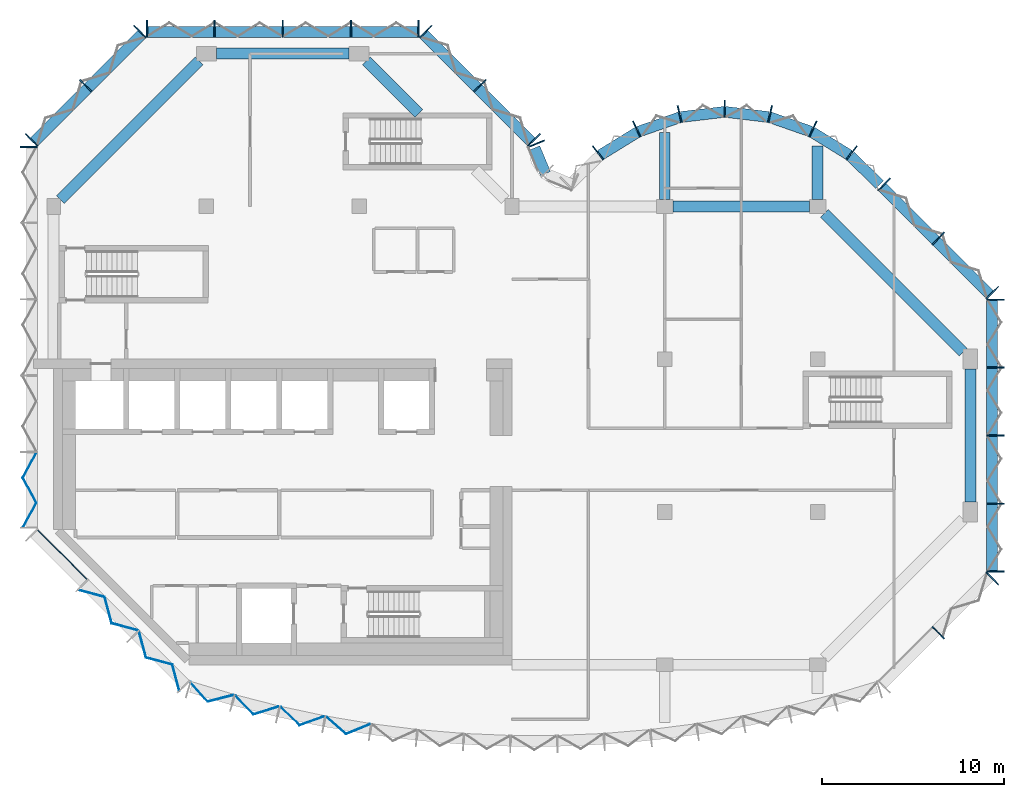
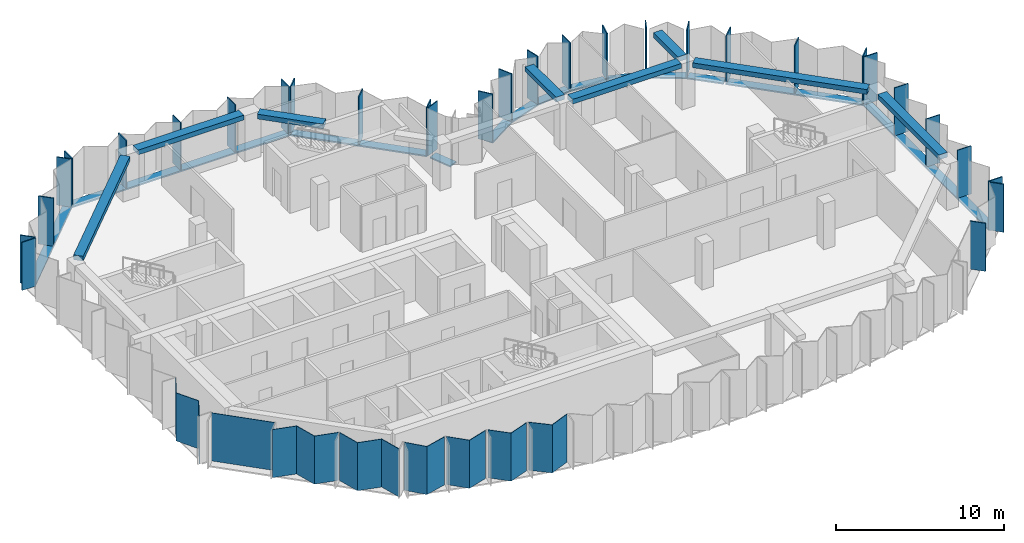
# One storey, part 2 of 9: 43 members, 8 beams, 8 plates, 11 elements without a shape of their own.
"""IFC4 building model written with IfcOpenShell, lengths in metres."""

from ifc_helpers import new_model, si_unit, direction, frame, origin, origin_2d, place, context, subcontext, project, spatial, polyline, rectangle, outline, extrude, material, layer, layer_set, material_profile, profile_set, type_object, element, aggregate, save


model = new_model("IFC4")

# Units and contexts
model_context = context("Model", 3, precision=1e-05, world=origin(), true_north=direction((0.0, 1.0)))
body_context = subcontext(model_context, "Body", "Model", "MODEL_VIEW")
ifc_project = project(units=[si_unit("LENGTHUNIT", "METRE"), si_unit("AREAUNIT", "SQUARE_METRE"), si_unit("VOLUMEUNIT", "CUBIC_METRE"), si_unit("PLANEANGLEUNIT", "RADIAN"), si_unit("MASSUNIT", "GRAM", prefix="KILO")], contexts=[model_context])

# Site, building, storey
site_placement = place(None, origin())
site = spatial("IfcSite", under=ifc_project, at=site_placement, CompositionType="ELEMENT")
building_placement = place(site_placement, origin())
building = spatial("IfcBuilding", under=site, at=building_placement, Name="Brevane Broadcast Tower", CompositionType="ELEMENT")
storey_placement = place(building_placement, frame((0.0, 0.0, 240.89990234375)))
storey = spatial("IfcBuildingStorey", under=building, at=storey_placement, Name="L61", CompositionType="ELEMENT", Elevation=240.89990234375)

# Curtain wall, members
ifc_material_1 = material(Name="Aluminium 6063-T6 bronze anodised", Category="aluminium")
curtain_wall_type = type_object("IfcCurtainWallType", Name="CW-1 curtain wall", PredefinedType="NOTDEFINED", material=ifc_material_1)
curtain_wall_1_placement = place(storey_placement, origin())
curtain_wall_1 = element("IfcCurtainWall", 1, at=curtain_wall_1_placement, inside=storey, type_object=curtain_wall_type, Name="CW-1 typical tilted unit L61 south-east chamfer", PredefinedType="NOTDEFINED")
ifc_material_profile_1 = material_profile(ifc_material_1, rectangle(XDim=0.949951171875, YDim=0.070068359375, at=origin_2d()), Name="RECT 70x950")
ifc_profile_set_1 = profile_set([ifc_material_profile_1], Name="Aluminium 6063-T6 bronze anodised")
member_type_1 = type_object("IfcMemberType", Name="CW-1 mullion 70x950", PredefinedType="MULLION", material=ifc_profile_set_1)
member_1_placement = place(storey_placement, frame((48.635986328125, 1.76416015625, -0.14990234375), z_axis=(0.0, 0.0, 1.0), x_axis=(-0.707106781187, 0.707106781187, 0.0)))
member_1 = element("IfcMember", 2, at=member_1_placement, type_object=member_type_1, Name="CW-1 mullion", PredefinedType="MULLION", context=body_context, shape_type="SweptSolid", body=[
    extrude(rectangle(XDim=0.949951171875, YDim=0.070068359375, at=origin_2d()), origin(), (0.0, 0.0, 1.0), 3.5),
])
member_2_placement = place(storey_placement, frame((51.611083984375, 4.7392578125, -0.14990234375), z_axis=(0.0, 0.0, 1.0), x_axis=(-0.707106781187, 0.707106781187, 0.0)))
member_2 = element("IfcMember", 3, at=member_2_placement, type_object=member_type_1, Name="CW-1 mullion", PredefinedType="MULLION", context=body_context, shape_type="SweptSolid", body=[
    extrude(rectangle(XDim=0.949951171875, YDim=0.070068359375, at=origin_2d()), origin(), (0.0, 0.0, 1.0), 3.5),
])
aggregate(curtain_wall_1, [member_1, member_2])

curtain_wall_2_placement = place(storey_placement, origin())
curtain_wall_2 = element("IfcCurtainWall", 4, at=curtain_wall_2_placement, inside=storey, type_object=curtain_wall_type, Name="CW-1 typical tilted unit L61 east end", PredefinedType="NOTDEFINED")
member_3_placement = place(storey_placement, frame((51.77490234375, 5.135009765625, -0.14990234375), z_axis=(0.0, 0.0, 1.0), x_axis=(-1.0, 0.0, 0.0)))
member_3 = element("IfcMember", 5, at=member_3_placement, type_object=member_type_1, Name="CW-1 mullion", PredefinedType="MULLION", context=body_context, shape_type="SweptSolid", body=[
    extrude(rectangle(XDim=0.949951171875, YDim=0.070068359375, at=origin_2d()), origin(), (0.0, 0.0, 1.0), 3.5),
])
member_4_placement = place(storey_placement, frame((51.77490234375, 8.85009765625, -0.14990234375), z_axis=(0.0, 0.0, 1.0), x_axis=(-1.0, 0.0, 0.0)))
member_4 = element("IfcMember", 6, at=member_4_placement, type_object=member_type_1, Name="CW-1 mullion", PredefinedType="MULLION", context=body_context, shape_type="SweptSolid", body=[
    extrude(rectangle(XDim=0.949951171875, YDim=0.070068359375, at=origin_2d()), origin(), (0.0, 0.0, 1.0), 3.5),
])
member_5_placement = place(storey_placement, frame((51.77490234375, 12.60009765625, -0.14990234375), z_axis=(0.0, 0.0, 1.0), x_axis=(-1.0, 0.0, 0.0)))
member_5 = element("IfcMember", 7, at=member_5_placement, type_object=member_type_1, Name="CW-1 mullion", PredefinedType="MULLION", context=body_context, shape_type="SweptSolid", body=[
    extrude(rectangle(XDim=0.949951171875, YDim=0.070068359375, at=origin_2d()), origin(), (0.0, 0.0, 1.0), 3.5),
])
member_6_placement = place(storey_placement, frame((51.77490234375, 16.35009765625, -0.14990234375), z_axis=(0.0, 0.0, 1.0), x_axis=(-1.0, 0.0, 0.0)))
member_6 = element("IfcMember", 8, at=member_6_placement, type_object=member_type_1, Name="CW-1 mullion", PredefinedType="MULLION", context=body_context, shape_type="SweptSolid", body=[
    extrude(rectangle(XDim=0.949951171875, YDim=0.070068359375, at=origin_2d()), origin(), (0.0, 0.0, 1.0), 3.5),
])
member_7_placement = place(storey_placement, frame((51.77490234375, 20.06494140625, -0.14990234375), z_axis=(0.0, 0.0, 1.0), x_axis=(-1.0, 0.0, 0.0)))
member_7 = element("IfcMember", 9, at=member_7_placement, type_object=member_type_1, Name="CW-1 mullion", PredefinedType="MULLION", context=body_context, shape_type="SweptSolid", body=[
    extrude(rectangle(XDim=0.949951171875, YDim=0.070068359375, at=origin_2d()), origin(), (0.0, 0.0, 1.0), 3.5),
])

curtain_wall_3_placement = place(storey_placement, origin())
curtain_wall_3 = element("IfcCurtainWall", 10, at=curtain_wall_3_placement, inside=storey, type_object=curtain_wall_type, Name="CW-1 typical tilted unit L61 north-east chamfer", PredefinedType="NOTDEFINED")
member_8_placement = place(storey_placement, frame((51.611083984375, 20.460693359375, -0.14990234375), z_axis=(0.0, 0.0, 1.0), x_axis=(-0.707106781187, -0.707106781187, 0.0)))
member_8 = element("IfcMember", 11, at=member_8_placement, type_object=member_type_1, Name="CW-1 mullion", PredefinedType="MULLION", context=body_context, shape_type="SweptSolid", body=[
    extrude(rectangle(XDim=0.949951171875, YDim=0.070068359375, at=origin_2d()), origin(), (0.0, 0.0, 1.0), 3.5),
])
member_9_placement = place(storey_placement, frame((48.635986328125, 23.435791015625, -0.14990234375), z_axis=(0.0, 0.0, 1.0), x_axis=(-0.707106781187, -0.707106781187, 0.0)))
member_9 = element("IfcMember", 12, at=member_9_placement, type_object=member_type_1, Name="CW-1 mullion", PredefinedType="MULLION", context=body_context, shape_type="SweptSolid", body=[
    extrude(rectangle(XDim=0.949951171875, YDim=0.070068359375, at=origin_2d()), origin(), (0.0, 0.0, 1.0), 3.5),
])
member_10_placement = place(storey_placement, frame((45.66064453125, 26.4111328125, -0.14990234375), z_axis=(0.0, 0.0, 1.0), x_axis=(-0.707106781187, -0.707106781187, 0.0)))
member_10 = element("IfcMember", 13, at=member_10_placement, type_object=member_type_1, Name="CW-1 mullion", PredefinedType="MULLION", context=body_context, shape_type="SweptSolid", body=[
    extrude(rectangle(XDim=0.949951171875, YDim=0.070068359375, at=origin_2d()), origin(), (0.0, 0.0, 1.0), 3.5),
])

curtain_wall_4_placement = place(storey_placement, origin())
curtain_wall_4 = element("IfcCurtainWall", 14, at=curtain_wall_4_placement, inside=storey, type_object=curtain_wall_type, Name="CW-1 typical tilted unit L61 east bow", PredefinedType="NOTDEFINED")
member_11_placement = place(storey_placement, frame((43.8720703125, 28.1455078125, -0.14990234375), z_axis=(0.0, 0.0, 1.0), x_axis=(-0.614769698862, -0.788706673841, 0.0)))
member_11 = element("IfcMember", 15, at=member_11_placement, type_object=member_type_1, Name="CW-1 mullion", PredefinedType="MULLION", context=body_context, shape_type="SweptSolid", body=[
    extrude(rectangle(XDim=0.949951171875, YDim=0.070068359375, at=origin_2d()), origin(), (0.0, 0.0, 1.0), 3.5),
])
member_12_placement = place(storey_placement, frame((41.746826171875, 29.4580078125, -0.14990234375), z_axis=(0.0, 0.0, 1.0), x_axis=(-0.429933580394, -0.902860518823, 0.0)))
member_12 = element("IfcMember", 16, at=member_12_placement, type_object=member_type_1, Name="CW-1 mullion", PredefinedType="MULLION", context=body_context, shape_type="SweptSolid", body=[
    extrude(rectangle(XDim=0.949951171875, YDim=0.070068359375, at=origin_2d()), origin(), (0.0, 0.0, 1.0), 3.5),
])
member_13_placement = place(storey_placement, frame((39.38818359375, 30.28076171875, -0.14990234375), z_axis=(0.0, 0.0, 1.0), x_axis=(-0.224806535479, -0.974403418306, 0.0)))
member_13 = element("IfcMember", 17, at=member_13_placement, type_object=member_type_1, Name="CW-1 mullion", PredefinedType="MULLION", context=body_context, shape_type="SweptSolid", body=[
    extrude(rectangle(XDim=0.949951171875, YDim=0.070068359375, at=origin_2d()), origin(), (0.0, 0.0, 1.0), 3.5),
])
member_14_placement = place(storey_placement, frame((36.89990234375, 30.574951171875, -0.14990234375), z_axis=(0.0, 0.0, 1.0), x_axis=(0.0, -1.0, 0.0)))
member_14 = element("IfcMember", 18, at=member_14_placement, type_object=member_type_1, Name="CW-1 mullion", PredefinedType="MULLION", context=body_context, shape_type="SweptSolid", body=[
    extrude(rectangle(XDim=0.949951171875, YDim=0.070068359375, at=origin_2d()), origin(), (0.0, 0.0, 1.0), 3.5),
])
member_15_placement = place(storey_placement, frame((34.411865234375, 30.28076171875, -0.14990234375), z_axis=(0.0, 0.0, 1.0), x_axis=(0.224806535479, -0.974403418306, 0.0)))
member_15 = element("IfcMember", 19, at=member_15_placement, type_object=member_type_1, Name="CW-1 mullion", PredefinedType="MULLION", context=body_context, shape_type="SweptSolid", body=[
    extrude(rectangle(XDim=0.949951171875, YDim=0.070068359375, at=origin_2d()), origin(), (0.0, 0.0, 1.0), 3.5),
])
member_16_placement = place(storey_placement, frame((32.05322265625, 29.4580078125, -0.14990234375), z_axis=(0.0, 0.0, 1.0), x_axis=(0.429933580394, -0.902860518823, 0.0)))
member_16 = element("IfcMember", 20, at=member_16_placement, type_object=member_type_1, Name="CW-1 mullion", PredefinedType="MULLION", context=body_context, shape_type="SweptSolid", body=[
    extrude(rectangle(XDim=0.949951171875, YDim=0.070068359375, at=origin_2d()), origin(), (0.0, 0.0, 1.0), 3.5),
])
member_17_placement = place(storey_placement, frame((29.927978515625, 28.1455078125, -0.14990234375), z_axis=(0.0, 0.0, 1.0), x_axis=(0.614769698862, -0.788706673841, 0.0)))
member_17 = element("IfcMember", 21, at=member_17_placement, type_object=member_type_1, Name="CW-1 mullion", PredefinedType="MULLION", context=body_context, shape_type="SweptSolid", body=[
    extrude(rectangle(XDim=0.949951171875, YDim=0.070068359375, at=origin_2d()), origin(), (0.0, 0.0, 1.0), 3.5),
])

# Curtain wall, member
curtain_wall_5_placement = place(storey_placement, origin())
curtain_wall_5 = element("IfcCurtainWall", 22, at=curtain_wall_5_placement, inside=storey, type_object=curtain_wall_type, Name="CW-1 typical tilted unit L61 inner corner", PredefinedType="NOTDEFINED")
member_18_placement = place(storey_placement, frame((26.55224609375, 28.6494140625, -0.14990234375), z_axis=(0.0, 0.0, 1.0), x_axis=(-0.923879532511, -0.382683432365, 0.0)))
member_18 = element("IfcMember", 23, at=member_18_placement, type_object=member_type_1, Name="CW-1 mullion", PredefinedType="MULLION", context=body_context, shape_type="SweptSolid", body=[
    extrude(rectangle(XDim=0.949951171875, YDim=0.070068359375, at=origin_2d()), origin(), (0.0, 0.0, 1.0), 3.5),
])

# Curtain wall, members
curtain_wall_6_placement = place(storey_placement, origin())
curtain_wall_6 = element("IfcCurtainWall", 24, at=curtain_wall_6_placement, inside=storey, type_object=curtain_wall_type, Name="CW-1 typical tilted unit L61 north arm north-east chamfer", PredefinedType="NOTDEFINED")
member_19_placement = place(storey_placement, frame((26.4111328125, 28.860595703125, -0.14990234375), z_axis=(0.0, 0.0, 1.0), x_axis=(-0.707106781187, -0.707106781187, 0.0)))
member_19 = element("IfcMember", 25, at=member_19_placement, type_object=member_type_1, Name="CW-1 mullion", PredefinedType="MULLION", context=body_context, shape_type="SweptSolid", body=[
    extrude(rectangle(XDim=0.949951171875, YDim=0.070068359375, at=origin_2d()), origin(), (0.0, 0.0, 1.0), 3.5),
])
member_20_placement = place(storey_placement, frame((23.435791015625, 31.8359375, -0.14990234375), z_axis=(0.0, 0.0, 1.0), x_axis=(-0.707106781187, -0.707106781187, 0.0)))
member_20 = element("IfcMember", 26, at=member_20_placement, type_object=member_type_1, Name="CW-1 mullion", PredefinedType="MULLION", context=body_context, shape_type="SweptSolid", body=[
    extrude(rectangle(XDim=0.949951171875, YDim=0.070068359375, at=origin_2d()), origin(), (0.0, 0.0, 1.0), 3.5),
])
member_21_placement = place(storey_placement, frame((20.460693359375, 34.81103515625, -0.14990234375), z_axis=(0.0, 0.0, 1.0), x_axis=(-0.707106781187, -0.707106781187, 0.0)))
member_21 = element("IfcMember", 27, at=member_21_placement, type_object=member_type_1, Name="CW-1 mullion", PredefinedType="MULLION", context=body_context, shape_type="SweptSolid", body=[
    extrude(rectangle(XDim=0.949951171875, YDim=0.070068359375, at=origin_2d()), origin(), (0.0, 0.0, 1.0), 3.5),
])

curtain_wall_7_placement = place(storey_placement, origin())
curtain_wall_7 = element("IfcCurtainWall", 28, at=curtain_wall_7_placement, inside=storey, type_object=curtain_wall_type, Name="CW-1 typical tilted unit L61 north end", PredefinedType="NOTDEFINED")
member_22_placement = place(storey_placement, frame((20.06494140625, 34.97509765625, -0.14990234375), z_axis=(0.0, 0.0, 1.0), x_axis=(0.0, -1.0, 0.0)))
member_22 = element("IfcMember", 29, at=member_22_placement, type_object=member_type_1, Name="CW-1 mullion", PredefinedType="MULLION", context=body_context, shape_type="SweptSolid", body=[
    extrude(rectangle(XDim=0.949951171875, YDim=0.070068359375, at=origin_2d()), origin(), (0.0, 0.0, 1.0), 3.5),
])
member_23_placement = place(storey_placement, frame((16.35009765625, 34.97509765625, -0.14990234375), z_axis=(0.0, 0.0, 1.0), x_axis=(0.0, -1.0, 0.0)))
member_23 = element("IfcMember", 30, at=member_23_placement, type_object=member_type_1, Name="CW-1 mullion", PredefinedType="MULLION", context=body_context, shape_type="SweptSolid", body=[
    extrude(rectangle(XDim=0.949951171875, YDim=0.070068359375, at=origin_2d()), origin(), (0.0, 0.0, 1.0), 3.5),
])
member_24_placement = place(storey_placement, frame((12.60009765625, 34.97509765625, -0.14990234375), z_axis=(0.0, 0.0, 1.0), x_axis=(0.0, -1.0, 0.0)))
member_24 = element("IfcMember", 31, at=member_24_placement, type_object=member_type_1, Name="CW-1 mullion", PredefinedType="MULLION", context=body_context, shape_type="SweptSolid", body=[
    extrude(rectangle(XDim=0.949951171875, YDim=0.070068359375, at=origin_2d()), origin(), (0.0, 0.0, 1.0), 3.5),
])
member_25_placement = place(storey_placement, frame((8.85009765625, 34.97509765625, -0.14990234375), z_axis=(0.0, 0.0, 1.0), x_axis=(0.0, -1.0, 0.0)))
member_25 = element("IfcMember", 32, at=member_25_placement, type_object=member_type_1, Name="CW-1 mullion", PredefinedType="MULLION", context=body_context, shape_type="SweptSolid", body=[
    extrude(rectangle(XDim=0.949951171875, YDim=0.070068359375, at=origin_2d()), origin(), (0.0, 0.0, 1.0), 3.5),
])
member_26_placement = place(storey_placement, frame((5.135009765625, 34.97509765625, -0.14990234375), z_axis=(0.0, 0.0, 1.0), x_axis=(0.0, -1.0, 0.0)))
member_26 = element("IfcMember", 33, at=member_26_placement, type_object=member_type_1, Name="CW-1 mullion", PredefinedType="MULLION", context=body_context, shape_type="SweptSolid", body=[
    extrude(rectangle(XDim=0.949951171875, YDim=0.070068359375, at=origin_2d()), origin(), (0.0, 0.0, 1.0), 3.5),
])

curtain_wall_8_placement = place(storey_placement, origin())
curtain_wall_8 = element("IfcCurtainWall", 34, at=curtain_wall_8_placement, inside=storey, type_object=curtain_wall_type, Name="CW-1 typical tilted unit L61 north-west chamfer", PredefinedType="NOTDEFINED")
member_27_placement = place(storey_placement, frame((4.7392578125, 34.81103515625, -0.14990234375), z_axis=(0.0, 0.0, 1.0), x_axis=(0.707106781187, -0.707106781187, 0.0)))
member_27 = element("IfcMember", 35, at=member_27_placement, type_object=member_type_1, Name="CW-1 mullion", PredefinedType="MULLION", context=body_context, shape_type="SweptSolid", body=[
    extrude(rectangle(XDim=0.949951171875, YDim=0.070068359375, at=origin_2d()), origin(), (0.0, 0.0, 1.0), 3.5),
])
member_28_placement = place(storey_placement, frame((1.76416015625, 31.8359375, -0.14990234375), z_axis=(0.0, 0.0, 1.0), x_axis=(0.707106781187, -0.707106781187, 0.0)))
member_28 = element("IfcMember", 36, at=member_28_placement, type_object=member_type_1, Name="CW-1 mullion", PredefinedType="MULLION", context=body_context, shape_type="SweptSolid", body=[
    extrude(rectangle(XDim=0.949951171875, YDim=0.070068359375, at=origin_2d()), origin(), (0.0, 0.0, 1.0), 3.5),
])
member_29_placement = place(storey_placement, frame((-1.211181640625, 28.860595703125, -0.14990234375), z_axis=(0.0, 0.0, 1.0), x_axis=(0.707106781187, -0.707106781187, 0.0)))
member_29 = element("IfcMember", 37, at=member_29_placement, type_object=member_type_1, Name="CW-1 mullion", PredefinedType="MULLION", context=body_context, shape_type="SweptSolid", body=[
    extrude(rectangle(XDim=0.949951171875, YDim=0.070068359375, at=origin_2d()), origin(), (0.0, 0.0, 1.0), 3.5),
])

# Curtain wall, member
curtain_wall_9_placement = place(storey_placement, origin())
curtain_wall_9 = element("IfcCurtainWall", 38, at=curtain_wall_9_placement, inside=storey, type_object=curtain_wall_type, Name="CW-1 typical tilted unit L61 west face", PredefinedType="NOTDEFINED")
member_30_placement = place(storey_placement, frame((-1.375, 28.465087890625, -0.14990234375), z_axis=(0.0, 0.0, 1.0), x_axis=(1.0, 0.0, 0.0)))
member_30 = element("IfcMember", 39, at=member_30_placement, type_object=member_type_1, Name="CW-1 mullion", PredefinedType="MULLION", context=body_context, shape_type="SweptSolid", body=[
    extrude(rectangle(XDim=0.949951171875, YDim=0.070068359375, at=origin_2d()), origin(), (0.0, 0.0, 1.0), 3.5),
])

# Member
ifc_material_profile_2 = material_profile(ifc_material_1, rectangle(XDim=0.60009765625, YDim=0.10009765625, at=origin_2d()), Name="RECT 100x600")
ifc_profile_set_2 = profile_set([ifc_material_profile_2], Name="Aluminium 6063-T6 bronze anodised")
member_type_2 = type_object("IfcMemberType", Name="CW-1 transom 100x600", PredefinedType="USERDEFINED", material=ifc_profile_set_2)
member_31_placement = place(storey_placement, frame((51.60009765625, 5.10009765625, -0.199951171875), z_axis=(0.0, 1.0, 0.0), x_axis=(-1.0, 0.0, 0.0)))
member_31 = element("IfcMember", 40, at=member_31_placement, type_object=member_type_2, Name="CW-1 transom", ObjectType="TRANSOM", PredefinedType="USERDEFINED", context=body_context, shape_type="SweptSolid", body=[
    extrude(rectangle(XDim=0.60009765625, YDim=0.10009765625, at=origin_2d()), origin(), (0.0, 0.0, 1.0), 15.0),
])

aggregate(curtain_wall_2, [member_3, member_4, member_5, member_6, member_7, member_31])

member_32_placement = place(storey_placement, frame((51.51220703125, 20.31201171875, -0.199951171875), z_axis=(-0.707106781187, 0.707106781187, 0.0), x_axis=(-0.707106781187, -0.707106781187, 0.0)))
member_32 = element("IfcMember", 41, at=member_32_placement, type_object=member_type_2, Name="CW-1 transom", ObjectType="TRANSOM", PredefinedType="USERDEFINED", context=body_context, shape_type="SweptSolid", body=[
    extrude(rectangle(XDim=0.60009765625, YDim=0.10009765625, at=origin_2d()), origin(), (0.0, 0.0, 1.0), 8.4853515625),
])

aggregate(curtain_wall_3, [member_8, member_9, member_10, member_32])

member_33_placement = place(storey_placement, frame((45.412841796875, 26.407958984375, -0.199951171875), z_axis=(-0.71724215871, 0.696823999134, 0.0), x_axis=(-0.696823999134, -0.71724215871, 0.0)))
member_33 = element("IfcMember", 42, at=member_33_placement, type_object=member_type_2, Name="CW-1 transom", ObjectType="TRANSOM", PredefinedType="USERDEFINED", context=body_context, shape_type="SweptSolid", body=[
    extrude(rectangle(XDim=0.60009765625, YDim=0.10009765625, at=origin_2d()), origin(), (0.0, 0.0, 1.0), 2.247802734375),
])

member_34_placement = place(storey_placement, frame((43.7421875, 28.023193359375, -0.199951171875), z_axis=(-0.850810063131, 0.525473345162, 0.0), x_axis=(-0.525473345162, -0.850810063131, 0.0)))
member_34 = element("IfcMember", 43, at=member_34_placement, type_object=member_type_2, Name="CW-1 transom", ObjectType="TRANSOM", PredefinedType="USERDEFINED", context=body_context, shape_type="SweptSolid", body=[
    extrude(rectangle(XDim=0.60009765625, YDim=0.10009765625, at=origin_2d()), origin(), (0.0, 0.0, 1.0), 2.39453125),
])

member_35_placement = place(storey_placement, frame((41.63623046875, 29.314208984375, -0.199951171875), z_axis=(-0.944197969542, 0.329378497041, 0.0), x_axis=(-0.329378497041, -0.944197969542, 0.0)))
member_35 = element("IfcMember", 44, at=member_35_placement, type_object=member_type_2, Name="CW-1 transom", ObjectType="TRANSOM", PredefinedType="USERDEFINED", context=body_context, shape_type="SweptSolid", body=[
    extrude(rectangle(XDim=0.60009765625, YDim=0.10009765625, at=origin_2d()), origin(), (0.0, 0.0, 1.0), 2.394775390625),
])

member_36_placement = place(storey_placement, frame((39.30029296875, 30.117431640625, -0.199951171875), z_axis=(-0.993062061831, 0.117591417, 0.0), x_axis=(-0.117591417, -0.993062061831, 0.0)))
member_36 = element("IfcMember", 45, at=member_36_placement, type_object=member_type_2, Name="CW-1 transom", ObjectType="TRANSOM", PredefinedType="USERDEFINED", context=body_context, shape_type="SweptSolid", body=[
    extrude(rectangle(XDim=0.60009765625, YDim=0.10009765625, at=origin_2d()), origin(), (0.0, 0.0, 1.0), 2.39794921875),
])

member_37_placement = place(storey_placement, frame((36.880859375, 30.3994140625, -0.199951171875), z_axis=(-0.993060653805, -0.117603307202, 0.0), x_axis=(0.117603307202, -0.993060653805, 0.0)))
member_37 = element("IfcMember", 46, at=member_37_placement, type_object=member_type_2, Name="CW-1 transom", ObjectType="TRANSOM", PredefinedType="USERDEFINED", context=body_context, shape_type="SweptSolid", body=[
    extrude(rectangle(XDim=0.60009765625, YDim=0.10009765625, at=origin_2d()), origin(), (0.0, 0.0, 1.0), 2.397705078125),
])

member_38_placement = place(storey_placement, frame((34.425048828125, 30.10302734375, -0.199951171875), z_axis=(-0.944197969542, -0.329378497041, 0.0), x_axis=(0.329378497041, -0.944197969542, 0.0)))
member_38 = element("IfcMember", 47, at=member_38_placement, type_object=member_type_2, Name="CW-1 transom", ObjectType="TRANSOM", PredefinedType="USERDEFINED", context=body_context, shape_type="SweptSolid", body=[
    extrude(rectangle(XDim=0.60009765625, YDim=0.10009765625, at=origin_2d()), origin(), (0.0, 0.0, 1.0), 2.394775390625),
])

member_39_placement = place(storey_placement, frame((32.09521484375, 29.281494140625, -0.199951171875), z_axis=(-0.850838211365, -0.525427766759, 0.0), x_axis=(0.525427766759, -0.850838211365, 0.0)))
member_39 = element("IfcMember", 48, at=member_39_placement, type_object=member_type_2, Name="CW-1 transom", ObjectType="TRANSOM", PredefinedType="USERDEFINED", context=body_context, shape_type="SweptSolid", body=[
    extrude(rectangle(XDim=0.60009765625, YDim=0.10009765625, at=origin_2d()), origin(), (0.0, 0.0, 1.0), 2.394775390625),
])

aggregate(curtain_wall_4, [member_11, member_12, member_13, member_14, member_15, member_16, member_17, member_33, member_34, member_35, member_36, member_37, member_38, member_39])

member_40_placement = place(storey_placement, frame((27.039794921875, 27.0, -0.199951171875), z_axis=(-0.382674472816, 0.923883243627, 0.0), x_axis=(-0.923883243627, -0.382674472816, 0.0)))
member_40 = element("IfcMember", 49, at=member_40_placement, type_object=member_type_2, Name="CW-1 transom", ObjectType="TRANSOM", PredefinedType="USERDEFINED", context=body_context, shape_type="SweptSolid", body=[
    extrude(rectangle(XDim=0.60009765625, YDim=0.10009765625, at=origin_2d()), origin(), (0.0, 0.0, 1.0), 1.536865234375),
])

aggregate(curtain_wall_5, [member_18, member_40])

member_41_placement = place(storey_placement, frame((26.31201171875, 28.712158203125, -0.199951171875), z_axis=(-0.707106781187, 0.707106781187, 0.0), x_axis=(-0.707106781187, -0.707106781187, 0.0)))
member_41 = element("IfcMember", 50, at=member_41_placement, type_object=member_type_2, Name="CW-1 transom", ObjectType="TRANSOM", PredefinedType="USERDEFINED", context=body_context, shape_type="SweptSolid", body=[
    extrude(rectangle(XDim=0.60009765625, YDim=0.10009765625, at=origin_2d()), origin(), (0.0, 0.0, 1.0), 8.4853515625),
])

aggregate(curtain_wall_6, [member_19, member_20, member_21, member_41])

member_42_placement = place(storey_placement, frame((20.10009765625, 34.800048828125, -0.199951171875), z_axis=(-1.0, 0.0, 0.0), x_axis=(0.0, -1.0, 0.0)))
member_42 = element("IfcMember", 51, at=member_42_placement, type_object=member_type_2, Name="CW-1 transom", ObjectType="TRANSOM", PredefinedType="USERDEFINED", context=body_context, shape_type="SweptSolid", body=[
    extrude(rectangle(XDim=0.60009765625, YDim=0.10009765625, at=origin_2d()), origin(), (0.0, 0.0, 1.0), 15.0),
])

aggregate(curtain_wall_7, [member_22, member_23, member_24, member_25, member_26, member_42])

member_43_placement = place(storey_placement, frame((4.887939453125, 34.712158203125, -0.199951171875), z_axis=(-0.707106781187, -0.707106781187, 0.0), x_axis=(0.707106781187, -0.707106781187, 0.0)))
member_43 = element("IfcMember", 52, at=member_43_placement, type_object=member_type_2, Name="CW-1 transom", ObjectType="TRANSOM", PredefinedType="USERDEFINED", context=body_context, shape_type="SweptSolid", body=[
    extrude(rectangle(XDim=0.60009765625, YDim=0.10009765625, at=origin_2d()), origin(), (0.0, 0.0, 1.0), 8.4853515625),
])

aggregate(curtain_wall_8, [member_27, member_28, member_29, member_43])

# Beams
ifc_material_2 = material(Name="Concrete C40/50", Category="concrete")
ifc_material_profile_3 = material_profile(ifc_material_2, rectangle(XDim=0.60009765625, YDim=0.35009765625, at=origin_2d()), Name="RC 600x350")
ifc_profile_set_3 = profile_set([ifc_material_profile_3], Name="Concrete C40/50")
beam_type_1 = type_object("IfcBeamType", Name="RC BRACKET BEAM 600x350 C40/50", PredefinedType="BEAM", material=ifc_profile_set_3)
beam_1_placement = place(storey_placement, frame((33.60009765625, 25.574951171875, 3.175048828125), z_axis=(0.0, 1.0, 0.0), x_axis=(-1.0, 0.0, 0.0)))
element("IfcBeam", 53, at=beam_1_placement, inside=storey, type_object=beam_type_1, Name="EB2 L61-2", PredefinedType="BEAM", context=body_context, shape_type="SweptSolid", body=[
    extrude(rectangle(XDim=0.60009765625, YDim=0.35009765625, at=origin_2d()), origin(), (0.0, 0.0, 1.0), 3.68701171875),
])
beam_2_placement = place(storey_placement, frame((42.0, 25.574951171875, 3.175048828125), z_axis=(0.0, 1.0, 0.0), x_axis=(-1.0, 0.0, 0.0)))
element("IfcBeam", 54, at=beam_2_placement, inside=storey, type_object=beam_type_1, Name="EB2 L61-4", PredefinedType="BEAM", context=body_context, shape_type="SweptSolid", body=[
    extrude(rectangle(XDim=0.60009765625, YDim=0.35009765625, at=origin_2d()), origin(), (0.0, 0.0, 1.0), 2.9365234375),
])
ifc_material_profile_4 = material_profile(ifc_material_2, rectangle(XDim=0.60009765625, YDim=0.35009765625, at=origin_2d()), Name="RC 600x350")
ifc_profile_set_4 = profile_set([ifc_material_profile_4], Name="Concrete C40/50")
beam_type_2 = type_object("IfcBeamType", Name="RC SPANDREL BEAM 600x350 C40/50", PredefinedType="SPANDREL", material=ifc_profile_set_4)
beam_3_placement = place(storey_placement, frame((50.39990234375, 8.949951171875, 3.175048828125), z_axis=(0.0, 1.0, 0.0), x_axis=(-1.0, 0.0, 0.0)))
element("IfcBeam", 55, at=beam_3_placement, inside=storey, type_object=beam_type_2, Name="EB1 L61-4", PredefinedType="SPANDREL", context=body_context, shape_type="SweptSolid", body=[
    extrude(rectangle(XDim=0.60009765625, YDim=0.35009765625, at=origin_2d()), origin(), (0.0, 0.0, 1.0), 7.300048828125),
])
beam_4_placement = place(storey_placement, frame((50.0, 17.199951171875, 3.175048828125), z_axis=(-0.707106781187, 0.707106781187, 0.0), x_axis=(-0.707106781187, -0.707106781187, 0.0)))
element("IfcBeam", 56, at=beam_4_placement, inside=storey, type_object=beam_type_2, Name="EB1 L61-5", PredefinedType="SPANDREL", context=body_context, shape_type="SweptSolid", body=[
    extrude(rectangle(XDim=0.60009765625, YDim=0.35009765625, at=origin_2d()), origin(), (0.0, 0.0, 1.0), 10.783447265625),
])
beam_5_placement = place(storey_placement, frame((41.550048828125, 25.199951171875, 3.175048828125), z_axis=(-1.0, 0.0, 0.0), x_axis=(0.0, -1.0, 0.0)))
element("IfcBeam", 57, at=beam_5_placement, inside=storey, type_object=beam_type_2, Name="EB1 L61-6", PredefinedType="SPANDREL", context=body_context, shape_type="SweptSolid", body=[
    extrude(rectangle(XDim=0.60009765625, YDim=0.35009765625, at=origin_2d()), origin(), (0.0, 0.0, 1.0), 7.5),
])
beam_6_placement = place(storey_placement, frame((20.080078125, 30.320068359375, 3.175048828125), z_axis=(-0.707136751593, 0.70707680951, 0.0), x_axis=(-0.70707680951, -0.707136751593, 0.0)))
element("IfcBeam", 58, at=beam_6_placement, inside=storey, type_object=beam_type_2, Name="EB1 L61-12", PredefinedType="SPANDREL", context=body_context, shape_type="SweptSolid", body=[
    extrude(rectangle(XDim=0.60009765625, YDim=0.35009765625, at=origin_2d()), origin(), (0.0, 0.0, 1.0), 4.072998046875),
])
beam_7_placement = place(storey_placement, frame((16.25, 33.60009765625, 3.175048828125), z_axis=(-1.0, 0.0, 0.0), x_axis=(0.0, -1.0, 0.0)))
element("IfcBeam", 59, at=beam_7_placement, inside=storey, type_object=beam_type_2, Name="EB1 L61-9", PredefinedType="SPANDREL", context=body_context, shape_type="SweptSolid", body=[
    extrude(rectangle(XDim=0.60009765625, YDim=0.35009765625, at=origin_2d()), origin(), (0.0, 0.0, 1.0), 7.300048828125),
])
beam_8_placement = place(storey_placement, frame((8.0, 33.199951171875, 3.175048828125), z_axis=(-0.707106781187, -0.707106781187, 0.0), x_axis=(0.707106781187, -0.707106781187, 0.0)))
element("IfcBeam", 60, at=beam_8_placement, inside=storey, type_object=beam_type_2, Name="EB1 L61-10", PredefinedType="SPANDREL", context=body_context, shape_type="SweptSolid", body=[
    extrude(rectangle(XDim=0.60009765625, YDim=0.35009765625, at=origin_2d()), origin(), (0.0, 0.0, 1.0), 10.783447265625),
])

# Curtain wall, plates
curtain_wall_10_placement = place(storey_placement, origin())
curtain_wall_10 = element("IfcCurtainWall", 61, at=curtain_wall_10_placement, inside=storey, type_object=curtain_wall_type, Name="CW-1 typical tilted unit L61 south bow", PredefinedType="NOTDEFINED")
ifc_material_3 = material(Name="Laminated glass bronze-tinted", Category="glass")
ifc_layer = layer(ifc_material_3, 0.0400390625)
ifc_layer_set = layer_set([ifc_layer], Name="CW tall glass panel 40")
plate_type = type_object("IfcPlateType", Name="CW tall glass panel 40", PredefinedType="CURTAIN_PANEL", material=ifc_layer_set)
plate_1_placement = place(storey_placement, frame((0.0, 0.0, -0.14990234375)))
plate_1 = element("IfcPlate", 62, at=plate_1_placement, type_object=plate_type, Name="CW-1 glass panel", PredefinedType="CURTAIN_PANEL", context=body_context, shape_type="SweptSolid", body=[
    extrude(outline(polyline([(7.525634765625, -0.935791015625), (7.51220703125, -0.980712890625), (8.46337890625, -2.044921875), (9.862548828125, -1.6884765625), (9.875, -1.64404296875), (8.47705078125, -2.000244140625), (7.525634765625, -0.935791015625)])), origin(), (0.0, 0.0, 1.0), 3.5),
])
plate_2_placement = place(storey_placement, frame((0.0, 0.0, -0.14990234375)))
plate_2 = element("IfcPlate", 63, at=plate_2_placement, type_object=plate_type, Name="CW-1 glass panel", PredefinedType="CURTAIN_PANEL", context=body_context, shape_type="SweptSolid", body=[
    extrude(outline(polyline([(10.01708984375, -1.68408203125), (10.00439453125, -1.728759765625), (10.984130859375, -2.749755859375), (12.345947265625, -2.32958984375), (12.3564453125, -2.284423828125), (10.99609375, -2.7041015625), (10.01708984375, -1.68408203125)])), origin(), (0.0, 0.0, 1.0), 3.5),
])
plate_3_placement = place(storey_placement, frame((0.0, 0.0, -0.14990234375)))
plate_3 = element("IfcPlate", 64, at=plate_3_placement, type_object=plate_type, Name="CW-1 glass panel", PredefinedType="CURTAIN_PANEL", context=body_context, shape_type="SweptSolid", body=[
    extrude(outline(polyline([(12.5, -2.318603515625), (12.489501953125, -2.36376953125), (13.513427734375, -3.343505859375), (14.85400390625, -2.866455078125), (14.862548828125, -2.82080078125), (13.523193359375, -3.29736328125), (12.5, -2.318603515625)])), origin(), (0.0, 0.0, 1.0), 3.5),
])
plate_4_placement = place(storey_placement, frame((0.0, 0.0, -0.14990234375)))
plate_4 = element("IfcPlate", 65, at=plate_4_placement, type_object=plate_type, Name="CW-1 glass panel", PredefinedType="CURTAIN_PANEL", context=body_context, shape_type="SweptSolid", body=[
    extrude(outline(polyline([(15.007568359375, -2.8486328125), (14.998779296875, -2.894287109375), (16.065185546875, -3.830810546875), (17.382080078125, -3.298095703125), (17.388916015625, -3.252197265625), (16.072998046875, -3.78466796875), (15.007568359375, -2.8486328125)])), origin(), (0.0, 0.0, 1.0), 3.5),
])
aggregate(curtain_wall_10, [plate_1, plate_2, plate_3, plate_4])

# Plate
plate_5_placement = place(storey_placement, frame((0.0, 0.0, -0.14990234375)))
plate_5 = element("IfcPlate", 66, at=plate_5_placement, type_object=plate_type, Name="CW-1 glass panel", PredefinedType="CURTAIN_PANEL", context=body_context, shape_type="SweptSolid", body=[
    extrude(outline(polyline([(-0.92724609375, 11.6650390625), (-0.97265625, 11.6650390625), (-1.717041015625, 10.288330078125), (-0.97265625, 8.91162109375), (-1.717041015625, 7.534912109375), (-1.671630859375, 7.534912109375), (-0.92724609375, 8.91162109375), (-1.671630859375, 10.288330078125), (-0.92724609375, 11.6650390625)])), origin(), (0.0, 0.0, 1.0), 3.5),
])

aggregate(curtain_wall_9, [member_30, plate_5])

# Curtain wall, plates
curtain_wall_11_placement = place(storey_placement, origin())
curtain_wall_11 = element("IfcCurtainWall", 67, at=curtain_wall_11_placement, inside=storey, type_object=curtain_wall_type, Name="CW-1 typical tilted unit L61 south-west chamfer", PredefinedType="NOTDEFINED")
plate_6_placement = place(storey_placement, frame((0.0, 0.0, -0.14990234375)))
plate_6 = element("IfcPlate", 68, at=plate_6_placement, type_object=plate_type, Name="CW-1 glass panel", PredefinedType="CURTAIN_PANEL", context=body_context, shape_type="SweptSolid", body=[
    extrude(outline(polyline([(-0.896484375, 7.4541015625), (1.85400390625, 4.70361328125), (1.82568359375, 4.67529296875), (-0.9248046875, 7.42578125), (-0.896484375, 7.4541015625)])), origin(), (0.0, 0.0, 1.0), 3.5),
])
plate_7_placement = place(storey_placement, frame((0.0, 0.0, -0.14990234375)))
plate_7 = element("IfcPlate", 69, at=plate_7_placement, type_object=plate_type, Name="CW-1 glass panel", PredefinedType="CURTAIN_PANEL", context=body_context, shape_type="SweptSolid", body=[
    extrude(outline(polyline([(1.37939453125, 4.1298828125), (1.3466796875, 4.09716796875), (2.789794921875, 3.706787109375), (3.180419921875, 2.263671875), (4.62353515625, 1.873046875), (4.65625, 1.90576171875), (3.212890625, 2.296142578125), (2.822509765625, 3.739501953125), (1.37939453125, 4.1298828125)])), origin(), (0.0, 0.0, 1.0), 3.5),
])
plate_8_placement = place(storey_placement, frame((0.0, 0.0, -0.14990234375)))
plate_8 = element("IfcPlate", 70, at=plate_8_placement, type_object=plate_type, Name="CW-1 glass panel", PredefinedType="CURTAIN_PANEL", context=body_context, shape_type="SweptSolid", body=[
    extrude(outline(polyline([(4.705810546875, 1.856201171875), (4.673095703125, 1.823486328125), (5.063720703125, 0.38037109375), (6.5068359375, -0.010009765625), (6.897216796875, -1.453369140625), (6.9296875, -1.420654296875), (6.539306640625, 0.0224609375), (5.09619140625, 0.4130859375), (4.705810546875, 1.856201171875)])), origin(), (0.0, 0.0, 1.0), 3.5),
])
aggregate(curtain_wall_11, [plate_6, plate_7, plate_8])

save(model, "model.ifc")
